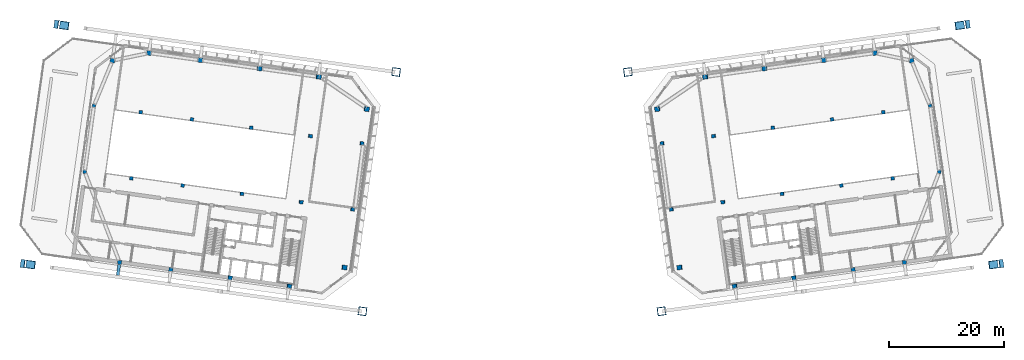
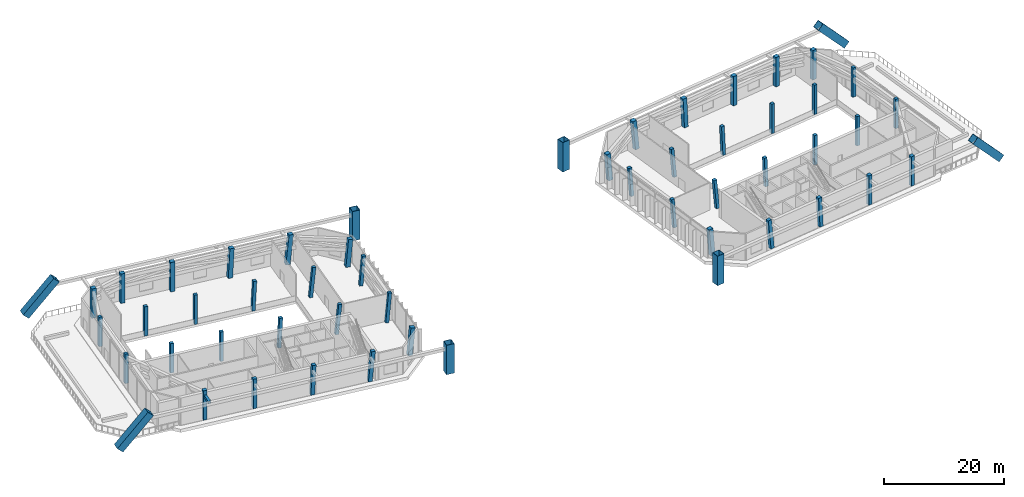
# One storey, part 1 of 29: 54 columns, 1 member.
"""IFC4 building model written with IfcOpenShell, lengths in metres."""

from ifc_helpers import new_model, si_unit, direction, frame, origin, origin_2d, place, context, subcontext, project, spatial, rectangle, hollow_rectangle, extrude, material, material_profile, profile_set, type_object, element, save


model = new_model("IFC4")

# Units and contexts
model_context = context("Model", 3, precision=1e-05, world=origin(), true_north=direction((0.0, 1.0)))
body_context = subcontext(model_context, "Body", "Model", "MODEL_VIEW")
ifc_project = project(units=[si_unit("LENGTHUNIT", "METRE"), si_unit("AREAUNIT", "SQUARE_METRE"), si_unit("VOLUMEUNIT", "CUBIC_METRE"), si_unit("PLANEANGLEUNIT", "RADIAN"), si_unit("MASSUNIT", "GRAM", prefix="KILO")], contexts=[model_context])

# Site, building, storey
site_placement = place(None, origin())
site = spatial("IfcSite", under=ifc_project, at=site_placement, CompositionType="ELEMENT")
building_placement = place(site_placement, origin())
building = spatial("IfcBuilding", under=site, at=building_placement, Name="Mirante Cascada Hotel Towers", CompositionType="ELEMENT")
storey_placement = place(building_placement, frame((0.0, 0.0, 210.6)))
storey = spatial("IfcBuildingStorey", under=building, at=storey_placement, Name="L50", CompositionType="ELEMENT", Elevation=210.6)

# Columns
ifc_material_1 = material(Name="Steel ASTM A572 Gr 50", Category="steel")
ifc_material_profile_1 = material_profile(ifc_material_1, hollow_rectangle(XDim=1.4, YDim=1.4, WallThickness=0.06, at=origin_2d()), Name="Box column 1400x1400x60 ASTM A572 Gr 50")
ifc_profile_set_1 = profile_set([ifc_material_profile_1], Name="Steel ASTM A572 Gr 50")
column_type_1 = type_object("IfcColumnType", Name="Box column 1400x1400x60 ASTM A572 Gr 50", PredefinedType="COLUMN", material=ifc_profile_set_1)
for number, where, z_axis, x_axis, name in (
    (1, (-20.1499, 17.822, 0.0), (0.0, 0.0, 1.0), (-0.9902681, 0.1391731, 0.0), "Mega column MC1 T1 L50"),
    (2, (-25.9951, -23.7692, 0.0), (0.0, 0.0, 1.0), (-0.9902681, 0.1391731, 0.0), "Mega column MC2 T1 L50"),
):
    element("IfcColumn", number, at=place(storey_placement, frame(where, z_axis=z_axis, x_axis=x_axis)), inside=storey, type_object=column_type_1, Name=name, PredefinedType="COLUMN", context=body_context, shape_type="SweptSolid", body=[
        extrude(hollow_rectangle(XDim=1.4, YDim=1.4, WallThickness=0.06, at=origin_2d()), origin(), (0.0, 0.0, 1.0), 6.0),
    ])
column_1_placement = place(storey_placement, frame((-79.0765, 26.1036, 0.0), z_axis=(0.6698175, -0.0941292, 0.7365353), x_axis=(0.1391622, 0.9902696, 0.0)))
element("IfcColumn", 3, at=column_1_placement, inside=storey, type_object=column_type_1, Name="Mega column MC3 T1 L50", PredefinedType="COLUMN", context=body_context, shape_type="SweptSolid", body=[
    extrude(hollow_rectangle(XDim=1.4, YDim=1.4, WallThickness=0.06, at=origin_2d()), origin(), (0.0, 0.0, 1.0), 8.1462),
])
column_2_placement = place(storey_placement, frame((-84.9218, -15.4876, 0.0), z_axis=(0.6698235, -0.0941406, 0.7365284), x_axis=(0.1391775, 0.9902674, 0.0)))
element("IfcColumn", 4, at=column_2_placement, inside=storey, type_object=column_type_1, Name="Mega column MC4 T1 L50", PredefinedType="COLUMN", context=body_context, shape_type="SweptSolid", body=[
    extrude(hollow_rectangle(XDim=1.4, YDim=1.4, WallThickness=0.06, at=origin_2d()), origin(), (0.0, 0.0, 1.0), 8.1463),
])
for number, where, z_axis, x_axis, name in (
    (5, (20.1499, 17.822, 0.0), (0.0, 0.0, 1.0), (0.9902681, 0.1391731, 0.0), "Mega column MC1 T2 L50"),
    (6, (25.9951, -23.7692, 0.0), (0.0, 0.0, 1.0), (0.9902681, 0.1391731, 0.0), "Mega column MC2 T2 L50"),
):
    element("IfcColumn", number, at=place(storey_placement, frame(where, z_axis=z_axis, x_axis=x_axis)), inside=storey, type_object=column_type_1, Name=name, PredefinedType="COLUMN", context=body_context, shape_type="SweptSolid", body=[
        extrude(hollow_rectangle(XDim=1.4, YDim=1.4, WallThickness=0.06, at=origin_2d()), origin(), (0.0, 0.0, 1.0), 6.0),
    ])
column_3_placement = place(storey_placement, frame((79.0765, 26.1036, 0.0), z_axis=(-0.6698175, -0.0941292, 0.7365353), x_axis=(0.1391622, -0.9902696, 0.0)))
element("IfcColumn", 7, at=column_3_placement, inside=storey, type_object=column_type_1, Name="Mega column MC3 T2 L50", PredefinedType="COLUMN", context=body_context, shape_type="SweptSolid", body=[
    extrude(hollow_rectangle(XDim=1.4, YDim=1.4, WallThickness=0.06, at=origin_2d()), origin(), (0.0, 0.0, 1.0), 8.1462),
])
column_4_placement = place(storey_placement, frame((84.9218, -15.4876, 0.0), z_axis=(-0.6698235, -0.0941406, 0.7365284), x_axis=(0.1391775, -0.9902674, 0.0)))
element("IfcColumn", 8, at=column_4_placement, inside=storey, type_object=column_type_1, Name="Mega column MC4 T2 L50", PredefinedType="COLUMN", context=body_context, shape_type="SweptSolid", body=[
    extrude(hollow_rectangle(XDim=1.4, YDim=1.4, WallThickness=0.06, at=origin_2d()), origin(), (0.0, 0.0, 1.0), 8.1463),
])
ifc_material_2 = material(Name="Concrete C50/60", Category="concrete")
ifc_material_profile_2 = material_profile(ifc_material_2, rectangle(XDim=0.6, YDim=0.6, at=origin_2d()), Name="RC column 600x600 C50/60")
ifc_profile_set_2 = profile_set([ifc_material_profile_2], Name="Concrete C50/60")
column_type_2 = type_object("IfcColumnType", Name="RC column 600x600 C50/60", PredefinedType="COLUMN", material=ifc_profile_set_2)
for number, where, z_axis, x_axis, name in (
    (9, (-26.1401, 5.4352, 0.0105), (0.0851732, -0.0119814, 0.9962941), (0.1392995, 0.9902503, 0.0), "Column T1 L50 2"),
    (10, (-27.7545, -6.0519, 0.0105), (0.0851732, -0.0119814, 0.9962941), (0.1392995, 0.9902503, 0.0), "Column T1 L50 3"),
):
    element("IfcColumn", number, at=place(storey_placement, frame(where, z_axis=z_axis, x_axis=x_axis)), inside=storey, type_object=column_type_2, Name=name, PredefinedType="COLUMN", context=body_context, shape_type="SweptSolid", body=[
        extrude(rectangle(XDim=0.6, YDim=0.6, at=origin_2d()), origin(), (0.0, 0.0, 1.0), 5.9843),
    ])
for number, where, z_axis, x_axis, name in (
    (11, (-35.1028, 6.6948, 0.004), (0.0975539, -0.013718, 0.9951357), (0.1392497, 0.9902573, 0.0), "Column T1 L50 6"),
    (12, (-36.7172, -4.7923, 0.004), (0.0975539, -0.013718, 0.9951357), (0.1392497, 0.9902573, 0.0), "Column T1 L50 7"),
):
    element("IfcColumn", number, at=place(storey_placement, frame(where, z_axis=z_axis, x_axis=x_axis)), inside=storey, type_object=column_type_2, Name=name, PredefinedType="COLUMN", context=body_context, shape_type="SweptSolid", body=[
        extrude(rectangle(XDim=0.6, YDim=0.6, at=origin_2d()), origin(), (0.0, 0.0, 1.0), 6.0213),
    ])
for number, where, z_axis, x_axis, name in (
    (13, (-45.3703, 8.1378, 0.004), (0.0489554, -0.0068841, 0.9987772), (0.1392497, 0.9902573, 0.0), "Column T1 L50 10"),
    (14, (-46.9847, -3.3493, 0.004), (0.0489554, -0.0068841, 0.9987772), (0.1392497, 0.9902573, 0.0), "Column T1 L50 11"),
):
    element("IfcColumn", number, at=place(storey_placement, frame(where, z_axis=z_axis, x_axis=x_axis)), inside=storey, type_object=column_type_2, Name=name, PredefinedType="COLUMN", context=body_context, shape_type="SweptSolid", body=[
        extrude(rectangle(XDim=0.6, YDim=0.6, at=origin_2d()), origin(), (0.0, 0.0, 1.0), 5.9993),
    ])
for number, where, z_axis, x_axis, name in (
    (15, (-55.6378, 9.5808, 0.0), (0.0, 0.0, 1.0), (-0.9902681, 0.1391731, 0.0), "Column T1 L50 14"),
    (16, (-57.2522, -1.9063, 0.0), (0.0, 0.0, 1.0), (-0.9902681, 0.1391731, 0.0), "Column T1 L50 15"),
    (17, (-64.5502, 10.8333, 0.0), (0.0, 0.0, 1.0), (-0.9902681, 0.1391731, 0.0), "Column T1 L50 18"),
    (18, (-66.1646, -0.6538, 0.0), (0.0, 0.0, 1.0), (-0.9902681, 0.1391731, 0.0), "Column T1 L50 19"),
    (19, (-72.6704, 11.9746, 0.0), (0.0, 0.0, 1.0), (-0.9902681, 0.1391731, 0.0), "Column T1 L50 22"),
    (20, (-74.2848, 0.4875, 0.0), (0.0, 0.0, 1.0), (-0.9902681, 0.1391731, 0.0), "Column T1 L50 23"),
):
    element("IfcColumn", number, at=place(storey_placement, frame(where, z_axis=z_axis, x_axis=x_axis)), inside=storey, type_object=column_type_2, Name=name, PredefinedType="COLUMN", context=body_context, shape_type="SweptSolid", body=[
        extrude(rectangle(XDim=0.6, YDim=0.6, at=origin_2d()), origin(), (0.0, 0.0, 1.0), 6.0),
    ])
for number, where, z_axis, x_axis, name in (
    (21, (26.1401, 5.4352, 0.0105), (-0.0851732, -0.0119814, 0.9962941), (0.1392995, -0.9902503, 0.0), "Column T2 L50 2"),
    (22, (27.7545, -6.0519, 0.0105), (-0.0851732, -0.0119814, 0.9962941), (0.1392995, -0.9902503, 0.0), "Column T2 L50 3"),
):
    element("IfcColumn", number, at=place(storey_placement, frame(where, z_axis=z_axis, x_axis=x_axis)), inside=storey, type_object=column_type_2, Name=name, PredefinedType="COLUMN", context=body_context, shape_type="SweptSolid", body=[
        extrude(rectangle(XDim=0.6, YDim=0.6, at=origin_2d()), origin(), (0.0, 0.0, 1.0), 5.9843),
    ])
for number, where, z_axis, x_axis, name in (
    (23, (35.1028, 6.6948, 0.004), (-0.0975539, -0.013718, 0.9951357), (0.1392497, -0.9902573, 0.0), "Column T2 L50 6"),
    (24, (36.7172, -4.7923, 0.004), (-0.0975539, -0.013718, 0.9951357), (0.1392497, -0.9902573, 0.0), "Column T2 L50 7"),
):
    element("IfcColumn", number, at=place(storey_placement, frame(where, z_axis=z_axis, x_axis=x_axis)), inside=storey, type_object=column_type_2, Name=name, PredefinedType="COLUMN", context=body_context, shape_type="SweptSolid", body=[
        extrude(rectangle(XDim=0.6, YDim=0.6, at=origin_2d()), origin(), (0.0, 0.0, 1.0), 6.0213),
    ])
for number, where, z_axis, x_axis, name in (
    (25, (45.3703, 8.1378, 0.004), (-0.0489554, -0.0068841, 0.9987772), (0.1392497, -0.9902573, 0.0), "Column T2 L50 10"),
    (26, (46.9847, -3.3493, 0.004), (-0.0489554, -0.0068841, 0.9987772), (0.1392497, -0.9902573, 0.0), "Column T2 L50 11"),
):
    element("IfcColumn", number, at=place(storey_placement, frame(where, z_axis=z_axis, x_axis=x_axis)), inside=storey, type_object=column_type_2, Name=name, PredefinedType="COLUMN", context=body_context, shape_type="SweptSolid", body=[
        extrude(rectangle(XDim=0.6, YDim=0.6, at=origin_2d()), origin(), (0.0, 0.0, 1.0), 5.9993),
    ])
for number, where, z_axis, x_axis, name in (
    (27, (55.6378, 9.5808, 0.0), (0.0, 0.0, 1.0), (0.9902681, 0.1391731, 0.0), "Column T2 L50 14"),
    (28, (57.2522, -1.9063, 0.0), (0.0, 0.0, 1.0), (0.9902681, 0.1391731, 0.0), "Column T2 L50 15"),
    (29, (64.5502, 10.8333, 0.0), (0.0, 0.0, 1.0), (0.9902681, 0.1391731, 0.0), "Column T2 L50 18"),
    (30, (66.1646, -0.6538, 0.0), (0.0, 0.0, 1.0), (0.9902681, 0.1391731, 0.0), "Column T2 L50 19"),
    (31, (72.6704, 11.9746, 0.0), (0.0, 0.0, 1.0), (0.9902681, 0.1391731, 0.0), "Column T2 L50 22"),
    (32, (74.2848, 0.4875, 0.0), (0.0, 0.0, 1.0), (0.9902681, 0.1391731, 0.0), "Column T2 L50 23"),
):
    element("IfcColumn", number, at=place(storey_placement, frame(where, z_axis=z_axis, x_axis=x_axis)), inside=storey, type_object=column_type_2, Name=name, PredefinedType="COLUMN", context=body_context, shape_type="SweptSolid", body=[
        extrude(rectangle(XDim=0.6, YDim=0.6, at=origin_2d()), origin(), (0.0, 0.0, 1.0), 6.0),
    ])
ifc_material_3 = material(Name="Concrete C50/60", Category="concrete")
ifc_material_profile_3 = material_profile(ifc_material_3, rectangle(XDim=0.7, YDim=0.7, at=origin_2d()), Name="RC column 700x700 C50/60")
ifc_profile_set_3 = profile_set([ifc_material_profile_3], Name="Concrete C50/60")
column_type_3 = type_object("IfcColumnType", Name="RC column 700x700 C50/60", PredefinedType="COLUMN", material=ifc_profile_set_3)
column_5_placement = place(storey_placement, frame((-38.77, -19.3988, 0.004), z_axis=(0.0975539, -0.0137014, 0.9951359), x_axis=(0.1390843, 0.9902805, 0.0)))
element("IfcColumn", 33, at=column_5_placement, inside=storey, type_object=column_type_3, Name="Column T1 L50 8", PredefinedType="COLUMN", context=body_context, shape_type="SweptSolid", body=[
    extrude(rectangle(XDim=0.7, YDim=0.7, at=origin_2d()), origin(), (0.0, 0.0, 1.0), 6.0213),
])
column_6_placement = place(storey_placement, frame((-49.0375, -17.9558, 0.004), z_axis=(0.0489554, -0.0068841, 0.9987772), x_axis=(0.1392497, 0.9902573, 0.0)))
element("IfcColumn", 34, at=column_6_placement, inside=storey, type_object=column_type_3, Name="Column T1 L50 12", PredefinedType="COLUMN", context=body_context, shape_type="SweptSolid", body=[
    extrude(rectangle(XDim=0.7, YDim=0.7, at=origin_2d()), origin(), (0.0, 0.0, 1.0), 5.9993),
])
for number, where, z_axis, x_axis, name in (
    (35, (-59.305, -16.5128, 0.0), (0.0, 0.0, 1.0), (-0.9902681, 0.1391731, 0.0), "Column T1 L50 16"),
    (36, (-68.2174, -15.2602, 0.0), (0.0, 0.0, 1.0), (-0.9902681, 0.1391731, 0.0), "Column T1 L50 20"),
):
    element("IfcColumn", number, at=place(storey_placement, frame(where, z_axis=z_axis, x_axis=x_axis)), inside=storey, type_object=column_type_3, Name=name, PredefinedType="COLUMN", context=body_context, shape_type="SweptSolid", body=[
        extrude(rectangle(XDim=0.7, YDim=0.7, at=origin_2d()), origin(), (0.0, 0.0, 1.0), 6.0),
    ])
column_7_placement = place(storey_placement, frame((38.77, -19.3988, 0.004), z_axis=(-0.0975539, -0.0137014, 0.9951359), x_axis=(0.1390843, -0.9902805, 0.0)))
element("IfcColumn", 37, at=column_7_placement, inside=storey, type_object=column_type_3, Name="Column T2 L50 8", PredefinedType="COLUMN", context=body_context, shape_type="SweptSolid", body=[
    extrude(rectangle(XDim=0.7, YDim=0.7, at=origin_2d()), origin(), (0.0, 0.0, 1.0), 6.0213),
])
column_8_placement = place(storey_placement, frame((49.0375, -17.9558, 0.004), z_axis=(-0.0489554, -0.0068841, 0.9987772), x_axis=(0.1392497, -0.9902573, 0.0)))
element("IfcColumn", 38, at=column_8_placement, inside=storey, type_object=column_type_3, Name="Column T2 L50 12", PredefinedType="COLUMN", context=body_context, shape_type="SweptSolid", body=[
    extrude(rectangle(XDim=0.7, YDim=0.7, at=origin_2d()), origin(), (0.0, 0.0, 1.0), 5.9993),
])
for number, where, z_axis, x_axis, name in (
    (39, (59.305, -16.5128, 0.0), (0.0, 0.0, 1.0), (0.9902681, 0.1391731, 0.0), "Column T2 L50 16"),
    (40, (68.2174, -15.2602, 0.0), (0.0, 0.0, 1.0), (0.9902681, 0.1391731, 0.0), "Column T2 L50 20"),
):
    element("IfcColumn", number, at=place(storey_placement, frame(where, z_axis=z_axis, x_axis=x_axis)), inside=storey, type_object=column_type_3, Name=name, PredefinedType="COLUMN", context=body_context, shape_type="SweptSolid", body=[
        extrude(rectangle(XDim=0.7, YDim=0.7, at=origin_2d()), origin(), (0.0, 0.0, 1.0), 6.0),
    ])
ifc_material_4 = material(Name="Concrete C50/60", Category="concrete")
ifc_material_profile_4 = material_profile(ifc_material_4, rectangle(XDim=0.8, YDim=0.8, at=origin_2d()), Name="RC column 800x800 C50/60")
ifc_profile_set_4 = profile_set([ifc_material_profile_4], Name="Concrete C50/60")
column_type_4 = type_object("IfcColumnType", Name="RC column 800x800 C50/60", PredefinedType="COLUMN", material=ifc_profile_set_4)
for number, where, z_axis, x_axis, name in (
    (41, (-25.3049, 11.3767, 0.0125), (0.0851671, -0.0119561, 0.9962949), (0.139021, 0.9902894, 0.0), "Column T1 L50 1"),
    (42, (-29.1739, -16.1527, 0.0125), (0.0851671, -0.0119741, 0.9962947), (0.139226, 0.9902606, 0.0), "Column T1 L50 4"),
):
    element("IfcColumn", number, at=place(storey_placement, frame(where, z_axis=z_axis, x_axis=x_axis)), inside=storey, type_object=column_type_4, Name=name, PredefinedType="COLUMN", context=body_context, shape_type="SweptSolid", body=[
        extrude(rectangle(XDim=0.8, YDim=0.8, at=origin_2d()), origin(), (0.0, 0.0, 1.0), 5.562),
    ])
column_9_placement = place(storey_placement, frame((-33.6554, 16.9936, 0.004), z_axis=(0.0975539, -0.013718, 0.9951357), x_axis=(0.1392497, 0.9902573, 0.0)))
element("IfcColumn", 43, at=column_9_placement, inside=storey, type_object=column_type_4, Name="Column T1 L50 5", PredefinedType="COLUMN", context=body_context, shape_type="SweptSolid", body=[
    extrude(rectangle(XDim=0.8, YDim=0.8, at=origin_2d()), origin(), (0.0, 0.0, 1.0), 6.0213),
])
column_10_placement = place(storey_placement, frame((-43.9229, 18.4366, 0.004), z_axis=(0.0489554, -0.0068841, 0.9987772), x_axis=(0.1392497, 0.9902573, 0.0)))
element("IfcColumn", 44, at=column_10_placement, inside=storey, type_object=column_type_4, Name="Column T1 L50 9", PredefinedType="COLUMN", context=body_context, shape_type="SweptSolid", body=[
    extrude(rectangle(XDim=0.8, YDim=0.8, at=origin_2d()), origin(), (0.0, 0.0, 1.0), 5.9993),
])
for number, where, z_axis, x_axis, name in (
    (45, (-54.1904, 19.8796, 0.0), (0.0, 0.0, 1.0), (-0.9902681, 0.1391731, 0.0), "Column T1 L50 13"),
    (46, (-63.1028, 21.1321, 0.0), (0.0, 0.0, 1.0), (-0.9902681, 0.1391731, 0.0), "Column T1 L50 17"),
    (47, (-69.4496, 19.8025, 0.0), (0.0, 0.0, 1.0), (-0.9902681, 0.1391731, 0.0), "Column T1 L50 21"),
):
    element("IfcColumn", number, at=place(storey_placement, frame(where, z_axis=z_axis, x_axis=x_axis)), inside=storey, type_object=column_type_4, Name=name, PredefinedType="COLUMN", context=body_context, shape_type="SweptSolid", body=[
        extrude(rectangle(XDim=0.8, YDim=0.8, at=origin_2d()), origin(), (0.0, 0.0, 1.0), 6.0),
    ])
for number, where, z_axis, x_axis, name in (
    (48, (25.3049, 11.3767, 0.0125), (-0.0851671, -0.0119561, 0.9962949), (0.139021, -0.9902894, 0.0), "Column T2 L50 1"),
    (49, (29.1739, -16.1527, 0.0125), (-0.0851671, -0.0119741, 0.9962947), (0.139226, -0.9902606, 0.0), "Column T2 L50 4"),
):
    element("IfcColumn", number, at=place(storey_placement, frame(where, z_axis=z_axis, x_axis=x_axis)), inside=storey, type_object=column_type_4, Name=name, PredefinedType="COLUMN", context=body_context, shape_type="SweptSolid", body=[
        extrude(rectangle(XDim=0.8, YDim=0.8, at=origin_2d()), origin(), (0.0, 0.0, 1.0), 5.562),
    ])
column_11_placement = place(storey_placement, frame((33.6554, 16.9936, 0.004), z_axis=(-0.0975539, -0.013718, 0.9951357), x_axis=(0.1392497, -0.9902573, 0.0)))
element("IfcColumn", 50, at=column_11_placement, inside=storey, type_object=column_type_4, Name="Column T2 L50 5", PredefinedType="COLUMN", context=body_context, shape_type="SweptSolid", body=[
    extrude(rectangle(XDim=0.8, YDim=0.8, at=origin_2d()), origin(), (0.0, 0.0, 1.0), 6.0213),
])
column_12_placement = place(storey_placement, frame((43.9229, 18.4366, 0.004), z_axis=(-0.0489554, -0.0068841, 0.9987772), x_axis=(0.1392497, -0.9902573, 0.0)))
element("IfcColumn", 51, at=column_12_placement, inside=storey, type_object=column_type_4, Name="Column T2 L50 9", PredefinedType="COLUMN", context=body_context, shape_type="SweptSolid", body=[
    extrude(rectangle(XDim=0.8, YDim=0.8, at=origin_2d()), origin(), (0.0, 0.0, 1.0), 5.9993),
])
for number, where, z_axis, x_axis, name in (
    (52, (54.1904, 19.8796, 0.0), (0.0, 0.0, 1.0), (0.9902681, 0.1391731, 0.0), "Column T2 L50 13"),
    (53, (63.1028, 21.1321, 0.0), (0.0, 0.0, 1.0), (0.9902681, 0.1391731, 0.0), "Column T2 L50 17"),
    (54, (69.4496, 19.8025, 0.0), (0.0, 0.0, 1.0), (0.9902681, 0.1391731, 0.0), "Column T2 L50 21"),
):
    element("IfcColumn", number, at=place(storey_placement, frame(where, z_axis=z_axis, x_axis=x_axis)), inside=storey, type_object=column_type_4, Name=name, PredefinedType="COLUMN", context=body_context, shape_type="SweptSolid", body=[
        extrude(rectangle(XDim=0.8, YDim=0.8, at=origin_2d()), origin(), (0.0, 0.0, 1.0), 6.0),
    ])

# Member
ifc_material_5 = material(Name="Steel ASTM A572 Gr 50", Category="steel")
ifc_material_profile_5 = material_profile(ifc_material_5, hollow_rectangle(XDim=0.5, YDim=0.5, WallThickness=0.035, at=origin_2d()), Name="Box tie 500x500x35 ASTM A572 Gr 50")
ifc_profile_set_5 = profile_set([ifc_material_profile_5], Name="Steel ASTM A572 Gr 50")
member_type = type_object("IfcMemberType", Name="Box tie 500x500x35 ASTM A572 Gr 50", PredefinedType="STRUT", material=ifc_profile_set_5)
member_placement = place(storey_placement, frame((-68.2633, -15.587, 4.85), z_axis=(-0.1391766, -0.9902676, 0.0), x_axis=(0.9902676, -0.1391766, 0.0)))
element("IfcMember", 55, at=member_placement, inside=storey, type_object=member_type, Name="tie T1 L50 8", PredefinedType="STRUT", context=body_context, shape_type="SweptSolid", body=[
    extrude(hollow_rectangle(XDim=0.5, YDim=0.5, WallThickness=0.035, at=origin_2d()), origin(), (0.0, 0.0, 1.0), 1.94),
])

save(model, "model.ifc")
